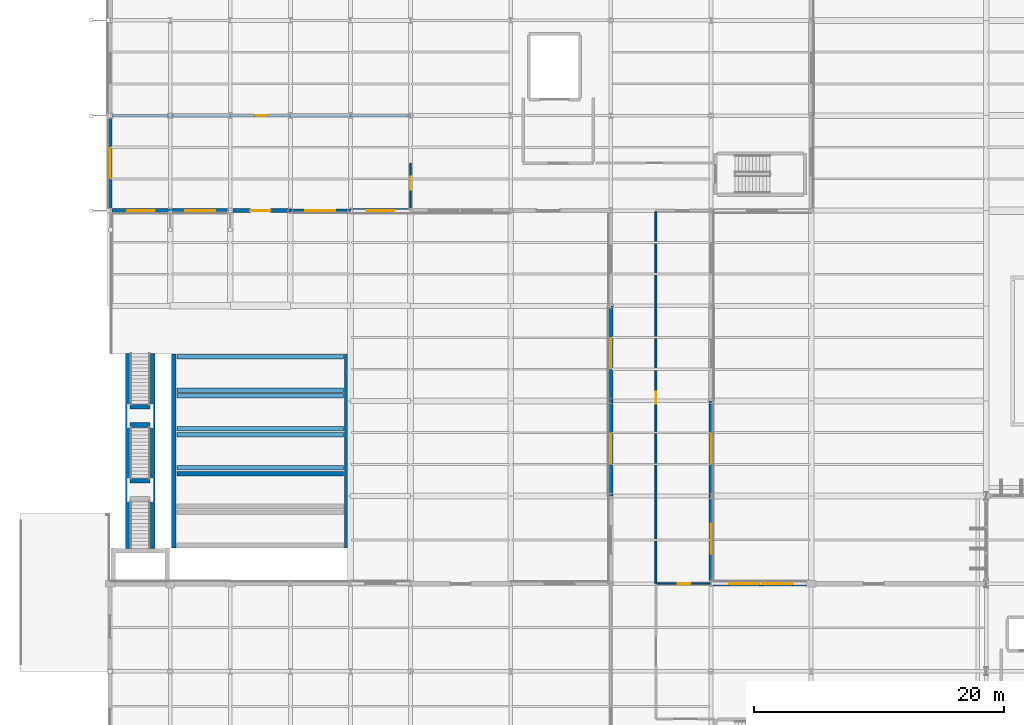
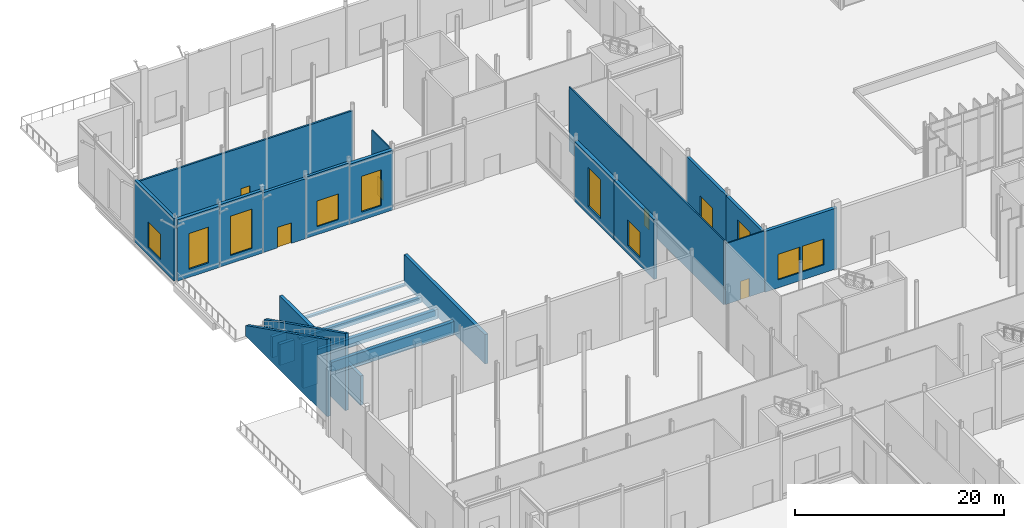
# One storey, part 138 of 176: 29 walls, 11 windows, 5 doors, 16 openings.
"""IFC4 building model written with IfcOpenShell, lengths in metres."""

from ifc_helpers import new_model, si_unit, direction, frame, frame_2d, origin, place, context, subcontext, project, spatial, polyline, rectangle, outline, extrude, material, layer, layer_set, type_object, element, fill, save


model = new_model("IFC4")

# Units and contexts
model_context = context("Model", 3, precision=1e-05, world=origin(), true_north=direction((0.0, 1.0)))
body_context = subcontext(model_context, "Body", "Model", "MODEL_VIEW")
ifc_project = project(units=[si_unit("LENGTHUNIT", "METRE"), si_unit("AREAUNIT", "SQUARE_METRE"), si_unit("VOLUMEUNIT", "CUBIC_METRE"), si_unit("PLANEANGLEUNIT", "RADIAN"), si_unit("MASSUNIT", "GRAM", prefix="KILO")], contexts=[model_context])

# Site, building, storey
site_placement = place(None, origin())
site = spatial("IfcSite", under=ifc_project, at=site_placement, CompositionType="ELEMENT")
building_placement = place(site_placement, origin())
building = spatial("IfcBuilding", under=site, at=building_placement, Name="Vekula Escarpment Museum", CompositionType="ELEMENT")
storey_placement = place(building_placement, origin())
storey = spatial("IfcBuildingStorey", under=building, at=storey_placement, Name="L01", CompositionType="ELEMENT", Elevation=0.0)

# Wall, opening, window
ifc_material_1 = material(Name="Inkisi arkosic sandstone masonry", Category="masonry")
ifc_layer_1 = layer(ifc_material_1, 0.300048828125)
ifc_layer_set_1 = layer_set([ifc_layer_1], Name="Inkisi arkosic sandstone masonry")
wall_type_1 = type_object("IfcWallType", Name="WL-ALM-300", PredefinedType="SOLIDWALL", material=ifc_layer_set_1)
wall_1_placement = place(storey_placement, frame((48.0, 98.0, 0.0), z_axis=(0.0, 0.0, 1.0), x_axis=(0.0, -1.0, 0.0)))
wall_1 = element("IfcWall", 1, at=wall_1_placement, inside=storey, type_object=wall_type_1, Name="Exterior Wall WL-EXT-L01-0211", PredefinedType="SOLIDWALL", context=body_context, shape_type="SweptSolid", body=[
    extrude(rectangle(XDim=7.60009765625, YDim=0.300048828125, at=frame_2d((3.800048828125, 0.0))), origin(), (0.0, 0.0, 1.0), 7.02490234375),
])
opening_1_placement = place(wall_1_placement, frame((2.60009765625, 0.0, 0.949951171875)))
opening_1 = element("IfcOpeningElement", 2, at=opening_1_placement, cuts=wall_1, Name="Opening WN-14", PredefinedType="OPENING", context=body_context, shape_type="SweptSolid", body=[
    extrude(rectangle(XDim=2.39990234375, YDim=3.0, at=frame_2d((1.199951171875, 1.5))), frame((0.0, 0.159912109375, 0.0), z_axis=(0.0, -1.0, 0.0), x_axis=(1.0, 0.0, 0.0)), (0.0, 0.0, 1.0), 0.320068359375),
])
ifc_material_2 = material(Name="Double solar-control low-E glass", Category="glass")
window_type_1 = type_object("IfcWindowType", Name="WN-CAFE-24x30", PartitioningType="TRIPLE_PANEL_VERTICAL", PredefinedType="WINDOW", material=ifc_material_2)
window_1_placement = place(opening_1_placement, origin())
window_1 = element("IfcWindow", 3, at=window_1_placement, inside=storey, type_object=window_type_1, Name="Window L01-0075", OverallHeight=3.0, OverallWidth=2.39990234375, PartitioningType="SINGLE_PANEL", PredefinedType="WINDOW", context=body_context, shape_type="SweptSolid", body=[
    extrude(rectangle(XDim=2.39990234375, YDim=3.0, at=frame_2d((1.199951171875, 1.5))), frame((0.0, 0.030029296875, 0.0), z_axis=(0.0, -1.0, 0.0), x_axis=(1.0, 0.0, 0.0)), (0.0, 0.0, 1.0), 0.06005859375),
])
fill(opening_1, window_1)

wall_2_placement = place(storey_placement, frame((0.0, 113.199951171875, 0.0), z_axis=(0.0, 0.0, 1.0), x_axis=(0.0, 1.0, 0.0)))
wall_2 = element("IfcWall", 4, at=wall_2_placement, inside=storey, type_object=wall_type_1, Name="Exterior Wall WL-EXT-L01-0231", PredefinedType="SOLIDWALL", context=body_context, shape_type="SweptSolid", body=[
    extrude(rectangle(XDim=7.60009765625, YDim=0.300048828125, at=frame_2d((3.800048828125, 0.0))), origin(), (0.0, 0.0, 1.0), 7.294921875),
])
opening_2_placement = place(wall_2_placement, frame((2.60009765625, 0.0, 0.949951171875)))
opening_2 = element("IfcOpeningElement", 5, at=opening_2_placement, cuts=wall_2, Name="Opening WN-14", PredefinedType="OPENING", context=body_context, shape_type="SweptSolid", body=[
    extrude(rectangle(XDim=2.39990234375, YDim=3.0, at=frame_2d((1.199951171875, 1.5))), frame((0.0, 0.159912109375, 0.0), z_axis=(0.0, -1.0, 0.0), x_axis=(1.0, 0.0, 0.0)), (0.0, 0.0, 1.0), 0.320068359375),
])
window_2_placement = place(opening_2_placement, origin())
window_2 = element("IfcWindow", 6, at=window_2_placement, inside=storey, type_object=window_type_1, Name="Window L01-0090", OverallHeight=3.0, OverallWidth=2.39990234375, PartitioningType="SINGLE_PANEL", PredefinedType="WINDOW", context=body_context, shape_type="SweptSolid", body=[
    extrude(rectangle(XDim=2.39990234375, YDim=3.0, at=frame_2d((1.199951171875, 1.5))), frame((0.0, 0.030029296875, 0.0), z_axis=(0.0, -1.0, 0.0), x_axis=(1.0, 0.0, 0.0)), (0.0, 0.0, 1.0), 0.06005859375),
])
fill(opening_2, window_2)

wall_3_placement = place(storey_placement, frame((19.199951171875, 113.199951171875, 0.0), z_axis=(0.0, 0.0, 1.0), x_axis=(-1.0, 0.0, 0.0)))
wall_3 = element("IfcWall", 7, at=wall_3_placement, inside=storey, type_object=wall_type_1, Name="Exterior Wall WL-EXT-L01-0235", PredefinedType="SOLIDWALL", context=body_context, shape_type="SweptSolid", body=[
    extrude(rectangle(XDim=4.800048828125, YDim=0.300048828125, at=frame_2d((2.39990234375, 0.0))), origin(), (0.0, 0.0, 1.0), 7.18505859375),
])
opening_3_placement = place(wall_3_placement, frame((1.199951171875, 0.0, 0.949951171875)))
opening_3 = element("IfcOpeningElement", 8, at=opening_3_placement, cuts=wall_3, Name="Opening WN-14", PredefinedType="OPENING", context=body_context, shape_type="SweptSolid", body=[
    extrude(rectangle(XDim=2.39990234375, YDim=3.0, at=frame_2d((1.199951171875, 1.5))), frame((0.0, 0.159912109375, 0.0), z_axis=(0.0, -1.0, 0.0), x_axis=(1.0, 0.0, 0.0)), (0.0, 0.0, 1.0), 0.320068359375),
])
window_3_placement = place(opening_3_placement, origin())
window_3 = element("IfcWindow", 9, at=window_3_placement, inside=storey, type_object=window_type_1, Name="Window L01-0093", OverallHeight=3.0, OverallWidth=2.39990234375, PartitioningType="SINGLE_PANEL", PredefinedType="WINDOW", context=body_context, shape_type="SweptSolid", body=[
    extrude(rectangle(XDim=2.39990234375, YDim=3.0, at=frame_2d((1.199951171875, 1.5))), frame((0.0, 0.030029296875, 0.0), z_axis=(0.0, -1.0, 0.0), x_axis=(1.0, 0.0, 0.0)), (0.0, 0.0, 1.0), 0.06005859375),
])
fill(opening_3, window_3)

ifc_material_3 = material(Name="Inkisi arkosic sandstone masonry", Category="masonry")
ifc_layer_2 = layer(ifc_material_3, 0.320068359375)
ifc_layer_set_2 = layer_set([ifc_layer_2], Name="Inkisi arkosic sandstone masonry")
wall_type_2 = type_object("IfcWallType", Name="WL-ALM-320", PredefinedType="SOLIDWALL", material=ifc_layer_set_2)
wall_4_placement = place(storey_placement, frame((48.0, 90.39990234375, 0.0), z_axis=(0.0, 0.0, 1.0), x_axis=(0.0, -1.0, 0.0)))
wall_4 = element("IfcWall", 10, at=wall_4_placement, inside=storey, type_object=wall_type_2, Name="Exterior Wall WL-EXT-L01-0210", PredefinedType="SOLIDWALL", context=body_context, shape_type="SweptSolid", body=[
    extrude(rectangle(XDim=6.82080078125, YDim=0.320068359375, at=frame_2d((3.410400390625, 0.0))), origin(), (0.0, 0.0, 1.0), 7.02490234375),
])
opening_4_placement = place(wall_4_placement, frame((2.21044921875, 0.0, 0.949951171875)))
opening_4 = element("IfcOpeningElement", 11, at=opening_4_placement, cuts=wall_4, Name="Opening WN-05", PredefinedType="OPENING", context=body_context, shape_type="SweptSolid", body=[
    extrude(rectangle(XDim=2.39990234375, YDim=4.60009765625, at=frame_2d((1.199951171875, 2.300048828125))), frame((0.0, 0.169921875, 0.0), z_axis=(0.0, -1.0, 0.0), x_axis=(1.0, 0.0, 0.0)), (0.0, 0.0, 1.0), 0.340087890625),
])
ifc_material_4 = material(Name="Double solar-control low-E glass", Category="glass")
window_type_2 = type_object("IfcWindowType", Name="WN-ARCH-24x46", PartitioningType="TRIPLE_PANEL_VERTICAL", PredefinedType="WINDOW", material=ifc_material_4)
window_4_placement = place(opening_4_placement, origin())
window_4 = element("IfcWindow", 12, at=window_4_placement, inside=storey, type_object=window_type_2, Name="Window L01-0074", OverallHeight=4.60009765625, OverallWidth=2.39990234375, PartitioningType="SINGLE_PANEL", PredefinedType="WINDOW", context=body_context, shape_type="SweptSolid", body=[
    extrude(rectangle(XDim=2.39990234375, YDim=4.60009765625, at=frame_2d((1.199951171875, 2.300048828125))), frame((0.0, 0.030029296875, 0.0), z_axis=(0.0, -1.0, 0.0), x_axis=(1.0, 0.0, 0.0)), (0.0, 0.0, 1.0), 0.06005859375),
])
fill(opening_4, window_4)

# Wall, opening, door
wall_5_placement = place(storey_placement, frame((14.39990234375, 113.199951171875, 0.0), z_axis=(0.0, 0.0, 1.0), x_axis=(-1.0, 0.0, 0.0)))
wall_5 = element("IfcWall", 13, at=wall_5_placement, inside=storey, type_object=wall_type_2, Name="Exterior Wall WL-EXT-L01-0234", PredefinedType="SOLIDWALL", context=body_context, shape_type="SweptSolid", body=[
    extrude(rectangle(XDim=4.7998046875, YDim=0.320068359375, at=frame_2d((2.39990234375, 0.0))), origin(), (0.0, 0.0, 1.0), 7.014892578125),
])
opening_5_placement = place(wall_5_placement, frame((1.60009765625, 0.0, 0.0)))
opening_5 = element("IfcOpeningElement", 14, at=opening_5_placement, cuts=wall_5, Name="Opening D-CY05", PredefinedType="OPENING", context=body_context, shape_type="SweptSolid", body=[
    extrude(rectangle(XDim=1.60009765625, YDim=2.39990234375, at=frame_2d((0.800048828125, 1.199951171875))), frame((0.0, 0.169921875, 0.0), z_axis=(0.0, -1.0, 0.0), x_axis=(1.0, 0.0, 0.0)), (0.0, 0.0, 1.0), 0.340087890625),
])
ifc_material_5 = material(Name="Thermally broken glazed terrace door", Category="steel")
door_type_1 = type_object("IfcDoorType", Name="DR-TER-1600x2400", OperationType="NOTDEFINED", PredefinedType="DOOR", material=ifc_material_5)
door_1_placement = place(opening_5_placement, origin())
door_1 = element("IfcDoor", 15, at=door_1_placement, inside=storey, type_object=door_type_1, Name="West Plinth Terrace Door D-CY05", OperationType="SINGLE_SWING_LEFT", OverallHeight=2.39990234375, OverallWidth=1.60009765625, PredefinedType="DOOR", context=body_context, shape_type="SweptSolid", body=[
    extrude(rectangle(XDim=1.60009765625, YDim=2.39990234375, at=frame_2d((0.800048828125, 1.199951171875))), frame((0.0, 0.02490234375, 0.0), z_axis=(0.0, -1.0, 0.0), x_axis=(1.0, 0.0, 0.0)), (0.0, 0.0, 1.0), 0.050048828125),
])
fill(opening_5, door_1)

# Wall, openings, windows
ifc_material_6 = material(Name="Inkisi arkosic sandstone masonry", Category="masonry")
ifc_layer_3 = layer(ifc_material_6, 0.35009765625)
ifc_layer_set_3 = layer_set([ifc_layer_3], Name="Inkisi arkosic sandstone masonry")
wall_type_3 = type_object("IfcWallType", Name="WL-ALM-350", PredefinedType="SOLIDWALL", material=ifc_layer_set_3)
wall_6_placement = place(storey_placement, frame((48.0, 83.39990234375, 0.0), z_axis=(0.0, 0.0, 1.0), x_axis=(1.0, 0.0, 0.0)))
wall_6 = element("IfcWall", 16, at=wall_6_placement, inside=storey, type_object=wall_type_3, Name="Exterior Wall WL-EXT-L01-0209", PredefinedType="SOLIDWALL", context=body_context, shape_type="SweptSolid", body=[
    extrude(rectangle(XDim=8.0, YDim=0.35009765625, at=frame_2d((4.0, 0.0))), origin(), (0.0, 0.0, 1.0), 7.125),
])
opening_6_placement = place(wall_6_placement, frame((1.466796875, 0.0, 0.949951171875)))
opening_6 = element("IfcOpeningElement", 17, at=opening_6_placement, cuts=wall_6, Name="Opening WN-14", PredefinedType="OPENING", context=body_context, shape_type="SweptSolid", body=[
    extrude(rectangle(XDim=2.39990234375, YDim=3.0, at=frame_2d((1.199951171875, 1.5))), frame((0.0, 0.18505859375, 0.0), z_axis=(0.0, -1.0, 0.0), x_axis=(1.0, 0.0, 0.0)), (0.0, 0.0, 1.0), 0.3701171875),
])
opening_7_placement = place(wall_6_placement, frame((4.13330078125, 0.0, 0.949951171875)))
opening_7 = element("IfcOpeningElement", 18, at=opening_7_placement, cuts=wall_6, Name="Opening WN-14", PredefinedType="OPENING", context=body_context, shape_type="SweptSolid", body=[
    extrude(rectangle(XDim=2.39990234375, YDim=3.0, at=frame_2d((1.199951171875, 1.5))), frame((0.0, 0.18505859375, 0.0), z_axis=(0.0, -1.0, 0.0), x_axis=(1.0, 0.0, 0.0)), (0.0, 0.0, 1.0), 0.3701171875),
])
window_5_placement = place(opening_6_placement, origin())
window_5 = element("IfcWindow", 19, at=window_5_placement, inside=storey, type_object=window_type_1, Name="Window L01-0072", OverallHeight=3.0, OverallWidth=2.39990234375, PartitioningType="SINGLE_PANEL", PredefinedType="WINDOW", context=body_context, shape_type="SweptSolid", body=[
    extrude(rectangle(XDim=2.39990234375, YDim=3.0, at=frame_2d((1.199951171875, 1.5))), frame((0.0, 0.030029296875, 0.0), z_axis=(0.0, -1.0, 0.0), x_axis=(1.0, 0.0, 0.0)), (0.0, 0.0, 1.0), 0.06005859375),
])
fill(opening_6, window_5)
window_6_placement = place(opening_7_placement, origin())
window_6 = element("IfcWindow", 20, at=window_6_placement, inside=storey, type_object=window_type_1, Name="Window L01-0073", OverallHeight=3.0, OverallWidth=2.39990234375, PartitioningType="SINGLE_PANEL", PredefinedType="WINDOW", context=body_context, shape_type="SweptSolid", body=[
    extrude(rectangle(XDim=2.39990234375, YDim=3.0, at=frame_2d((1.199951171875, 1.5))), frame((0.0, 0.030029296875, 0.0), z_axis=(0.0, -1.0, 0.0), x_axis=(1.0, 0.0, 0.0)), (0.0, 0.0, 1.0), 0.06005859375),
])
fill(opening_7, window_6)

# Wall, opening, window
wall_7_placement = place(storey_placement, frame((9.60009765625, 113.199951171875, 0.0), z_axis=(0.0, 0.0, 1.0), x_axis=(-1.0, 0.0, 0.0)))
wall_7 = element("IfcWall", 21, at=wall_7_placement, inside=storey, type_object=wall_type_3, Name="Exterior Wall WL-EXT-L01-0233", PredefinedType="SOLIDWALL", context=body_context, shape_type="SweptSolid", body=[
    extrude(rectangle(XDim=4.800048828125, YDim=0.35009765625, at=frame_2d((2.39990234375, 0.0))), origin(), (0.0, 0.0, 1.0), 7.304931640625),
])
opening_8_placement = place(wall_7_placement, frame((1.199951171875, 0.0, 0.949951171875)))
opening_8 = element("IfcOpeningElement", 22, at=opening_8_placement, cuts=wall_7, Name="Opening WN-05", PredefinedType="OPENING", context=body_context, shape_type="SweptSolid", body=[
    extrude(rectangle(XDim=2.39990234375, YDim=4.60009765625, at=frame_2d((1.199951171875, 2.300048828125))), frame((0.0, 0.18505859375, 0.0), z_axis=(0.0, -1.0, 0.0), x_axis=(1.0, 0.0, 0.0)), (0.0, 0.0, 1.0), 0.3701171875),
])
window_7_placement = place(opening_8_placement, origin())
window_7 = element("IfcWindow", 23, at=window_7_placement, inside=storey, type_object=window_type_2, Name="Window L01-0092", OverallHeight=4.60009765625, OverallWidth=2.39990234375, PartitioningType="SINGLE_PANEL", PredefinedType="WINDOW", context=body_context, shape_type="SweptSolid", body=[
    extrude(rectangle(XDim=2.39990234375, YDim=4.60009765625, at=frame_2d((1.199951171875, 2.300048828125))), frame((0.0, 0.030029296875, 0.0), z_axis=(0.0, -1.0, 0.0), x_axis=(1.0, 0.0, 0.0)), (0.0, 0.0, 1.0), 0.06005859375),
])
fill(opening_8, window_7)

wall_8_placement = place(storey_placement, frame((40.0, 90.39990234375, 0.0), z_axis=(0.0, 0.0, 1.0), x_axis=(0.0, 1.0, 0.0)))
wall_8 = element("IfcWall", 24, at=wall_8_placement, inside=storey, type_object=wall_type_3, Name="Exterior Wall WL-EXT-L01-0241", PredefinedType="SOLIDWALL", context=body_context, shape_type="SweptSolid", body=[
    extrude(rectangle(XDim=7.60009765625, YDim=0.35009765625, at=frame_2d((3.800048828125, 0.0))), origin(), (0.0, 0.0, 1.0), 7.02490234375),
])
opening_9_placement = place(wall_8_placement, frame((2.60009765625, 0.0, 0.949951171875)))
opening_9 = element("IfcOpeningElement", 25, at=opening_9_placement, cuts=wall_8, Name="Opening WN-14", PredefinedType="OPENING", context=body_context, shape_type="SweptSolid", body=[
    extrude(rectangle(XDim=2.39990234375, YDim=3.0, at=frame_2d((1.199951171875, 1.5))), frame((0.0, 0.18505859375, 0.0), z_axis=(0.0, -1.0, 0.0), x_axis=(1.0, 0.0, 0.0)), (0.0, 0.0, 1.0), 0.3701171875),
])
window_8_placement = place(opening_9_placement, origin())
window_8 = element("IfcWindow", 26, at=window_8_placement, inside=storey, type_object=window_type_1, Name="Window L01-0099", OverallHeight=3.0, OverallWidth=2.39990234375, PartitioningType="SINGLE_PANEL", PredefinedType="WINDOW", context=body_context, shape_type="SweptSolid", body=[
    extrude(rectangle(XDim=2.39990234375, YDim=3.0, at=frame_2d((1.199951171875, 1.5))), frame((0.0, 0.030029296875, 0.0), z_axis=(0.0, -1.0, 0.0), x_axis=(1.0, 0.0, 0.0)), (0.0, 0.0, 1.0), 0.06005859375),
])
fill(opening_9, window_8)

ifc_material_7 = material(Name="Inkisi arkosic sandstone masonry", Category="masonry")
ifc_layer_4 = layer(ifc_material_7, 0.3798828125)
ifc_layer_set_4 = layer_set([ifc_layer_4], Name="Inkisi arkosic sandstone masonry")
wall_type_4 = type_object("IfcWallType", Name="WL-ALM-380", PredefinedType="SOLIDWALL", material=ifc_layer_set_4)
wall_9_placement = place(storey_placement, frame((4.800048828125, 113.199951171875, 0.0), z_axis=(0.0, 0.0, 1.0), x_axis=(-1.0, 0.0, 0.0)))
wall_9 = element("IfcWall", 27, at=wall_9_placement, inside=storey, type_object=wall_type_4, Name="Exterior Wall WL-EXT-L01-0232", PredefinedType="SOLIDWALL", context=body_context, shape_type="SweptSolid", body=[
    extrude(rectangle(XDim=4.64599609375, YDim=0.3798828125, at=frame_2d((2.322998046875, 0.0))), origin(), (0.0, 0.0, 1.0), 7.18505859375),
])
opening_10_placement = place(wall_9_placement, frame((1.222900390625, 0.0, 0.949951171875)))
opening_10 = element("IfcOpeningElement", 28, at=opening_10_placement, cuts=wall_9, Name="Opening WN-04", PredefinedType="OPENING", context=body_context, shape_type="SweptSolid", body=[
    extrude(rectangle(XDim=2.199951171875, YDim=4.199951171875, at=frame_2d((1.10009765625, 2.10009765625))), frame((0.0, 0.199951171875, 0.0), z_axis=(0.0, -1.0, 0.0), x_axis=(1.0, 0.0, 0.0)), (0.0, 0.0, 1.0), 0.39990234375),
])
ifc_material_8 = material(Name="Double solar-control low-E glass", Category="glass")
window_type_3 = type_object("IfcWindowType", Name="WN-ARCH-22x42", PartitioningType="DOUBLE_PANEL_VERTICAL", PredefinedType="WINDOW", material=ifc_material_8)
window_9_placement = place(opening_10_placement, origin())
window_9 = element("IfcWindow", 29, at=window_9_placement, inside=storey, type_object=window_type_3, Name="Window L01-0091", OverallHeight=4.199951171875, OverallWidth=2.199951171875, PartitioningType="SINGLE_PANEL", PredefinedType="WINDOW", context=body_context, shape_type="SweptSolid", body=[
    extrude(rectangle(XDim=2.199951171875, YDim=4.199951171875, at=frame_2d((1.10009765625, 2.10009765625))), frame((0.0, 0.030029296875, 0.0), z_axis=(0.0, -1.0, 0.0), x_axis=(1.0, 0.0, 0.0)), (0.0, 0.0, 1.0), 0.06005859375),
])
fill(opening_10, window_9)

wall_10_placement = place(storey_placement, frame((24.0, 113.199951171875, 0.0), z_axis=(0.0, 0.0, 1.0), x_axis=(-1.0, 0.0, 0.0)))
wall_10 = element("IfcWall", 30, at=wall_10_placement, inside=storey, type_object=wall_type_4, Name="Exterior Wall WL-EXT-L01-0236", PredefinedType="SOLIDWALL", context=body_context, shape_type="SweptSolid", body=[
    extrude(rectangle(XDim=4.800048828125, YDim=0.3798828125, at=frame_2d((2.39990234375, 0.0))), origin(), (0.0, 0.0, 1.0), 7.014892578125),
])
opening_11_placement = place(wall_10_placement, frame((1.300048828125, 0.0, 0.949951171875)))
opening_11 = element("IfcOpeningElement", 31, at=opening_11_placement, cuts=wall_10, Name="Opening WN-04", PredefinedType="OPENING", context=body_context, shape_type="SweptSolid", body=[
    extrude(rectangle(XDim=2.199951171875, YDim=4.199951171875, at=frame_2d((1.10009765625, 2.10009765625))), frame((0.0, 0.199951171875, 0.0), z_axis=(0.0, -1.0, 0.0), x_axis=(1.0, 0.0, 0.0)), (0.0, 0.0, 1.0), 0.39990234375),
])
window_10_placement = place(opening_11_placement, origin())
window_10 = element("IfcWindow", 32, at=window_10_placement, inside=storey, type_object=window_type_3, Name="Window L01-0094", OverallHeight=4.199951171875, OverallWidth=2.199951171875, PartitioningType="SINGLE_PANEL", PredefinedType="WINDOW", context=body_context, shape_type="SweptSolid", body=[
    extrude(rectangle(XDim=2.199951171875, YDim=4.199951171875, at=frame_2d((1.10009765625, 2.10009765625))), frame((0.0, 0.030029296875, 0.0), z_axis=(0.0, -1.0, 0.0), x_axis=(1.0, 0.0, 0.0)), (0.0, 0.0, 1.0), 0.06005859375),
])
fill(opening_11, window_10)

wall_11_placement = place(storey_placement, frame((40.0, 98.0, 0.0), z_axis=(0.0, 0.0, 1.0), x_axis=(0.0, 1.0, 0.0)))
wall_11 = element("IfcWall", 33, at=wall_11_placement, inside=storey, type_object=wall_type_4, Name="Exterior Wall WL-EXT-L01-0240", PredefinedType="SOLIDWALL", context=body_context, shape_type="SweptSolid", body=[
    extrude(rectangle(XDim=7.60009765625, YDim=0.3798828125, at=frame_2d((3.800048828125, 0.0))), origin(), (0.0, 0.0, 1.0), 7.02490234375),
])
opening_12_placement = place(wall_11_placement, frame((2.60009765625, 0.0, 0.949951171875)))
opening_12 = element("IfcOpeningElement", 34, at=opening_12_placement, cuts=wall_11, Name="Opening WN-05", PredefinedType="OPENING", context=body_context, shape_type="SweptSolid", body=[
    extrude(rectangle(XDim=2.39990234375, YDim=4.60009765625, at=frame_2d((1.199951171875, 2.300048828125))), frame((0.0, 0.199951171875, 0.0), z_axis=(0.0, -1.0, 0.0), x_axis=(1.0, 0.0, 0.0)), (0.0, 0.0, 1.0), 0.39990234375),
])
window_11_placement = place(opening_12_placement, origin())
window_11 = element("IfcWindow", 35, at=window_11_placement, inside=storey, type_object=window_type_2, Name="Window L01-0098", OverallHeight=4.60009765625, OverallWidth=2.39990234375, PartitioningType="SINGLE_PANEL", PredefinedType="WINDOW", context=body_context, shape_type="SweptSolid", body=[
    extrude(rectangle(XDim=2.39990234375, YDim=4.60009765625, at=frame_2d((1.199951171875, 2.300048828125))), frame((0.0, 0.030029296875, 0.0), z_axis=(0.0, -1.0, 0.0), x_axis=(1.0, 0.0, 0.0)), (0.0, 0.0, 1.0), 0.06005859375),
])
fill(opening_12, window_11)

# Walls
ifc_material_9 = material(Name="Inkisi arkosic sandstone masonry", Category="masonry")
ifc_layer_5 = layer(ifc_material_9, 0.360107421875)
ifc_layer_set_5 = layer_set([ifc_layer_5], Name="Inkisi arkosic sandstone masonry")
wall_type_5 = type_object("IfcWallType", Name="WL-AMP-CHEEK", PredefinedType="SOLIDWALL", material=ifc_layer_set_5)
for number, where, z_axis, x_axis, name in (
    (36, (1.389892578125, 86.199951171875, 0.0), (0.0, 0.0, 1.0), (0.0, 1.0, 0.0), "Escarpment Plinth Stepped Cheek Wall ST-AMP-N1 W"),
    (37, (3.409912109375, 86.199951171875, 0.0), (0.0, 0.0, 1.0), (0.0, 1.0, 0.0), "Escarpment Plinth Stepped Cheek Wall ST-AMP-N1 E"),
):
    element("IfcWall", number, at=place(storey_placement, frame(where, z_axis=z_axis, x_axis=x_axis)), inside=storey, type_object=wall_type_5, Name=name, PredefinedType="SOLIDWALL", context=body_context, shape_type="SweptSolid", body=[
        extrude(outline(polyline([(0.0, 0.0), (15.590087890625, 0.0), (15.590087890625, 1.25), (0.0, 9.050048828125), (0.0, 0.0)])), frame((0.0, 0.18017578125, 0.0), z_axis=(0.0, -1.0, 0.0), x_axis=(1.0, 0.0, 0.0)), (0.0, 0.0, 1.0), 0.360107421875),
    ])
for number, where, z_axis, x_axis, name in (
    (38, (1.60009765625, 96.080078125, 0.0), (0.0, 0.0, 1.0), (1.0, 0.0, 0.0), "Escarpment Plinth Landing Pier Wall ST-AMP-N1-1A"),
    (39, (1.60009765625, 97.530029296875, 0.0), (0.0, 0.0, 1.0), (1.0, 0.0, 0.0), "Escarpment Plinth Landing Pier Wall ST-AMP-N1-1B"),
):
    element("IfcWall", number, at=place(storey_placement, frame(where, z_axis=z_axis, x_axis=x_axis)), inside=storey, type_object=wall_type_5, Name=name, PredefinedType="SOLIDWALL", context=body_context, shape_type="SweptSolid", body=[
        extrude(rectangle(XDim=1.599853515625, YDim=0.360107421875, at=frame_2d((0.7998046875, 0.0))), origin(), (0.0, 0.0, 1.0), 2.458984375),
    ])
wall_12_placement = place(storey_placement, frame((1.60009765625, 91.6201171875, 0.0), z_axis=(0.0, 0.0, 1.0), x_axis=(1.0, 0.0, 0.0)))
element("IfcWall", 40, at=wall_12_placement, inside=storey, type_object=wall_type_5, Name="Escarpment Plinth Landing Pier Wall ST-AMP-N1-2B", PredefinedType="SOLIDWALL", context=body_context, shape_type="SweptSolid", body=[
    extrude(rectangle(XDim=1.599853515625, YDim=0.360107421875, at=frame_2d((0.7998046875, 0.0))), origin(), (0.0, 0.0, 1.0), 5.1181640625),
])
for number, where, z_axis, x_axis, name in (
    (41, (5.10009765625, 86.25, 0.0), (0.0, 0.0, 1.0), (0.0, 1.0, 0.0), "Escarpment Plinth Bowl Cheek Wall N-W"),
    (42, (18.89990234375, 86.25, 0.0), (0.0, 0.0, 1.0), (0.0, 1.0, 0.0), "Escarpment Plinth Bowl Cheek Wall N-E"),
):
    element("IfcWall", number, at=place(storey_placement, frame(where, z_axis=z_axis, x_axis=x_axis)), inside=storey, type_object=wall_type_5, Name=name, PredefinedType="SOLIDWALL", context=body_context, shape_type="SweptSolid", body=[
        extrude(rectangle(XDim=15.5, YDim=0.360107421875, at=frame_2d((7.75, 0.0))), origin(), (0.0, 0.0, 1.0), 3.449951171875),
    ])
for number, where, z_axis, x_axis, name in (
    (43, (5.35009765625, 98.8701171875, 0.0), (0.0, 0.0, 1.0), (1.0, 0.0, 0.0), "Escarpment Plinth Bench Riser Wall 06F"),
    (44, (5.35009765625, 101.530029296875, 0.0), (0.0, 0.0, 1.0), (1.0, 0.0, 0.0), "Escarpment Plinth Bench Riser Wall 06B"),
):
    element("IfcWall", number, at=place(storey_placement, frame(where, z_axis=z_axis, x_axis=x_axis)), inside=storey, type_object=wall_type_5, Name=name, PredefinedType="SOLIDWALL", context=body_context, shape_type="SweptSolid", body=[
        extrude(rectangle(XDim=13.2998046875, YDim=0.360107421875, at=frame_2d((6.64990234375, 0.0))), origin(), (0.0, 0.0, 1.0), 0.199951171875),
    ])
for number, where, z_axis, x_axis, name in (
    (45, (5.35009765625, 95.77001953125, 0.0), (0.0, 0.0, 1.0), (1.0, 0.0, 0.0), "Escarpment Plinth Bench Riser Wall 07F"),
    (46, (5.35009765625, 98.39990234375, 0.0), (0.0, 0.0, 1.0), (1.0, 0.0, 0.0), "Escarpment Plinth Bench Riser Wall 07B"),
):
    element("IfcWall", number, at=place(storey_placement, frame(where, z_axis=z_axis, x_axis=x_axis)), inside=storey, type_object=wall_type_5, Name=name, PredefinedType="SOLIDWALL", context=body_context, shape_type="SweptSolid", body=[
        extrude(rectangle(XDim=13.2998046875, YDim=0.360107421875, at=frame_2d((6.64990234375, 0.0))), origin(), (0.0, 0.0, 1.0), 0.64990234375),
    ])
for number, where, z_axis, x_axis, name in (
    (47, (5.35009765625, 92.669921875, 0.0), (0.0, 0.0, 1.0), (1.0, 0.0, 0.0), "Escarpment Plinth Bench Riser Wall 08F"),
    (48, (5.35009765625, 95.300048828125, 0.0), (0.0, 0.0, 1.0), (1.0, 0.0, 0.0), "Escarpment Plinth Bench Riser Wall 08B"),
):
    element("IfcWall", number, at=place(storey_placement, frame(where, z_axis=z_axis, x_axis=x_axis)), inside=storey, type_object=wall_type_5, Name=name, PredefinedType="SOLIDWALL", context=body_context, shape_type="SweptSolid", body=[
        extrude(rectangle(XDim=13.2998046875, YDim=0.360107421875, at=frame_2d((6.64990234375, 0.0))), origin(), (0.0, 0.0, 1.0), 1.10009765625),
    ])
wall_13_placement = place(storey_placement, frame((5.35009765625, 92.199951171875, 0.0), z_axis=(0.0, 0.0, 1.0), x_axis=(1.0, 0.0, 0.0)))
element("IfcWall", 49, at=wall_13_placement, inside=storey, type_object=wall_type_5, Name="Escarpment Plinth Bench Riser Wall 09B", PredefinedType="SOLIDWALL", context=body_context, shape_type="SweptSolid", body=[
    extrude(rectangle(XDim=13.2998046875, YDim=0.360107421875, at=frame_2d((6.64990234375, 0.0))), origin(), (0.0, 0.0, 1.0), 1.550048828125),
])

# Wall, opening, door
ifc_material_10 = material(Name="Concrete C35/45", Category="concrete")
ifc_layer_6 = layer(ifc_material_10, 0.199951171875)
ifc_layer_set_6 = layer_set([ifc_layer_6], Name="Concrete C35/45")
wall_type_6 = type_object("IfcWallType", Name="WL-FFL-200", PredefinedType="PARTITIONING", material=ifc_layer_set_6)
wall_14_placement = place(storey_placement, frame((0.1640625, 120.800048828125, 0.0), z_axis=(0.0, 0.0, 1.0), x_axis=(1.0, 0.0, 0.0)))
wall_14 = element("IfcWall", 50, at=wall_14_placement, inside=storey, type_object=wall_type_6, Name="Interior Partition WL-INT-L01-0001", PredefinedType="PARTITIONING", context=body_context, shape_type="SweptSolid", body=[
    extrude(rectangle(XDim=23.8359375, YDim=0.199951171875, at=frame_2d((11.91796875, 0.0))), origin(), (0.0, 0.0, 1.0), 6.965087890625),
])
opening_13_placement = place(wall_14_placement, frame((11.41796875, 0.0, 0.0)))
opening_13 = element("IfcOpeningElement", 51, at=opening_13_placement, cuts=wall_14, Name="Opening DR-OF10", PredefinedType="OPENING", context=body_context, shape_type="SweptSolid", body=[
    extrude(rectangle(XDim=1.0, YDim=2.14990234375, at=frame_2d((0.5, 1.074951171875))), frame((0.0, 0.10986328125, 0.0), z_axis=(0.0, -1.0, 0.0), x_axis=(1.0, 0.0, 0.0)), (0.0, 0.0, 1.0), 0.219970703125),
])
ifc_material_11 = material(Name="Solid core timber study door", Category="wood")
door_type_2 = type_object("IfcDoorType", Name="DR-OFF-1000x2150", OperationType="NOTDEFINED", PredefinedType="DOOR", material=ifc_material_11)
door_2_placement = place(opening_13_placement, origin())
door_2 = element("IfcDoor", 52, at=door_2_placement, inside=storey, type_object=door_type_2, Name="Interior Door L01-001", OperationType="SINGLE_SWING_RIGHT", OverallHeight=2.14990234375, OverallWidth=1.0, PredefinedType="DOOR", context=body_context, shape_type="SweptSolid", body=[
    extrude(rectangle(XDim=1.0, YDim=2.14990234375, at=frame_2d((0.5, 1.074951171875))), frame((0.0, 0.02490234375, 0.0), z_axis=(0.0, -1.0, 0.0), x_axis=(1.0, 0.0, 0.0)), (0.0, 0.0, 1.0), 0.050048828125),
])
fill(opening_13, door_2)

ifc_material_12 = material(Name="Lightweight studio partition", Category="gypsum")
ifc_layer_7 = layer(ifc_material_12, 0.1201171875)
ifc_layer_set_7 = layer_set([ifc_layer_7], Name="Lightweight studio partition")
wall_type_7 = type_object("IfcWallType", Name="WL-PART-120", PredefinedType="PARTITIONING", material=ifc_layer_set_7)
wall_15_placement = place(storey_placement, frame((24.0, 113.39404296875, 0.0), z_axis=(0.0, 0.0, 1.0), x_axis=(0.0, 1.0, 0.0)))
wall_15 = element("IfcWall", 53, at=wall_15_placement, inside=storey, type_object=wall_type_7, Name="Interior Partition WL-INT-L01-0003", PredefinedType="PARTITIONING", context=body_context, shape_type="SweptSolid", body=[
    extrude(rectangle(XDim=3.60595703125, YDim=0.1201171875, at=frame_2d((1.802978515625, 0.0))), origin(), (0.0, 0.0, 1.0), 6.965087890625),
])
opening_14_placement = place(wall_15_placement, frame((1.463623046875, 0.0, 0.0)))
opening_14 = element("IfcOpeningElement", 54, at=opening_14_placement, cuts=wall_15, Name="Opening DR-CR10", PredefinedType="OPENING", context=body_context, shape_type="SweptSolid", body=[
    extrude(rectangle(XDim=1.050048828125, YDim=2.199951171875, at=frame_2d((0.52490234375, 1.10009765625))), frame((0.0, 0.070068359375, 0.0), z_axis=(0.0, -1.0, 0.0), x_axis=(1.0, 0.0, 0.0)), (0.0, 0.0, 1.0), 0.14013671875),
])
ifc_material_13 = material(Name="Solid hardwood curatorial door", Category="wood")
door_type_3 = type_object("IfcDoorType", Name="DR-CUR-1050x2200", OperationType="NOTDEFINED", PredefinedType="DOOR", material=ifc_material_13)
door_3_placement = place(opening_14_placement, origin())
door_3 = element("IfcDoor", 55, at=door_3_placement, inside=storey, type_object=door_type_3, Name="Interior Door L01-003", OperationType="SINGLE_SWING_RIGHT", OverallHeight=2.199951171875, OverallWidth=1.050048828125, PredefinedType="DOOR", context=body_context, shape_type="SweptSolid", body=[
    extrude(rectangle(XDim=1.050048828125, YDim=2.199951171875, at=frame_2d((0.52490234375, 1.10009765625))), frame((0.0, 0.02490234375, 0.0), z_axis=(0.0, -1.0, 0.0), x_axis=(1.0, 0.0, 0.0)), (0.0, 0.0, 1.0), 0.050048828125),
])
fill(opening_14, door_3)

wall_16_placement = place(storey_placement, frame((43.678955078125, 83.39990234375, 0.0), z_axis=(0.0, 0.0, 1.0), x_axis=(1.0, 0.0, 0.0)))
wall_16 = element("IfcWall", 56, at=wall_16_placement, inside=storey, type_object=wall_type_7, Name="Interior Partition WL-INT-L01-0006", PredefinedType="PARTITIONING", context=body_context, shape_type="SweptSolid", body=[
    extrude(rectangle(XDim=4.321044921875, YDim=0.1201171875, at=frame_2d((2.16064453125, 0.0))), origin(), (0.0, 0.0, 1.0), 7.125),
])
opening_15_placement = place(wall_16_placement, frame((1.660400390625, 0.0, 0.0)))
opening_15 = element("IfcOpeningElement", 57, at=opening_15_placement, cuts=wall_16, Name="Opening DR-OF10", PredefinedType="OPENING", context=body_context, shape_type="SweptSolid", body=[
    extrude(rectangle(XDim=1.0, YDim=2.14990234375, at=frame_2d((0.5, 1.074951171875))), frame((0.0, 0.070068359375, 0.0), z_axis=(0.0, -1.0, 0.0), x_axis=(1.0, 0.0, 0.0)), (0.0, 0.0, 1.0), 0.14013671875),
])
door_4_placement = place(opening_15_placement, origin())
door_4 = element("IfcDoor", 58, at=door_4_placement, inside=storey, type_object=door_type_2, Name="Interior Door L01-006", OperationType="SINGLE_SWING_LEFT", OverallHeight=2.14990234375, OverallWidth=1.0, PredefinedType="DOOR", context=body_context, shape_type="SweptSolid", body=[
    extrude(rectangle(XDim=1.0, YDim=2.14990234375, at=frame_2d((0.5, 1.074951171875))), frame((0.0, 0.02490234375, 0.0), z_axis=(0.0, -1.0, 0.0), x_axis=(1.0, 0.0, 0.0)), (0.0, 0.0, 1.0), 0.050048828125),
])
fill(opening_15, door_4)

ifc_material_14 = material(Name="Gypsum board dry-lined partition", Category="gypsum")
ifc_layer_8 = layer(ifc_material_14, 0.14990234375)
ifc_layer_set_8 = layer_set([ifc_layer_8], Name="Gypsum board dry-lined partition")
wall_type_8 = type_object("IfcWallType", Name="WL-PART-150", PredefinedType="PARTITIONING", material=ifc_layer_set_8)
wall_17_placement = place(storey_placement, frame((43.60009765625, 83.39990234375, 0.0), z_axis=(0.0, 0.0, 1.0), x_axis=(0.0, 1.0, 0.0)))
wall_17 = element("IfcWall", 59, at=wall_17_placement, inside=storey, type_object=wall_type_8, Name="Interior Partition WL-INT-L01-0005", PredefinedType="PARTITIONING", context=body_context, shape_type="SweptSolid", body=[
    extrude(rectangle(XDim=29.716064453125, YDim=0.14990234375, at=frame_2d((14.85791015625, 0.0))), origin(), (0.0, 0.0, 1.0), 7.5400390625),
])
opening_16_placement = place(wall_17_placement, frame((14.383056640625, 0.0, 0.0)))
opening_16 = element("IfcOpeningElement", 60, at=opening_16_placement, cuts=wall_17, Name="Opening DR-OF09", PredefinedType="OPENING", context=body_context, shape_type="SweptSolid", body=[
    extrude(rectangle(XDim=0.949951171875, YDim=2.10009765625, at=frame_2d((0.47509765625, 1.050048828125))), frame((0.0, 0.0849609375, 0.0), z_axis=(0.0, -1.0, 0.0), x_axis=(1.0, 0.0, 0.0)), (0.0, 0.0, 1.0), 0.169921875),
])
ifc_material_15 = material(Name="Solid core timber office door", Category="wood")
door_type_4 = type_object("IfcDoorType", Name="DR-OFF-0950x2100", OperationType="NOTDEFINED", PredefinedType="DOOR", material=ifc_material_15)
door_5_placement = place(opening_16_placement, origin())
door_5 = element("IfcDoor", 61, at=door_5_placement, inside=storey, type_object=door_type_4, Name="Interior Door L01-005", OperationType="SINGLE_SWING_RIGHT", OverallHeight=2.10009765625, OverallWidth=0.949951171875, PredefinedType="DOOR", context=body_context, shape_type="SweptSolid", body=[
    extrude(rectangle(XDim=0.949951171875, YDim=2.10009765625, at=frame_2d((0.47509765625, 1.050048828125))), frame((0.0, 0.02490234375, 0.0), z_axis=(0.0, -1.0, 0.0), x_axis=(1.0, 0.0, 0.0)), (0.0, 0.0, 1.0), 0.050048828125),
])
fill(opening_16, door_5)

save(model, "model.ifc")
